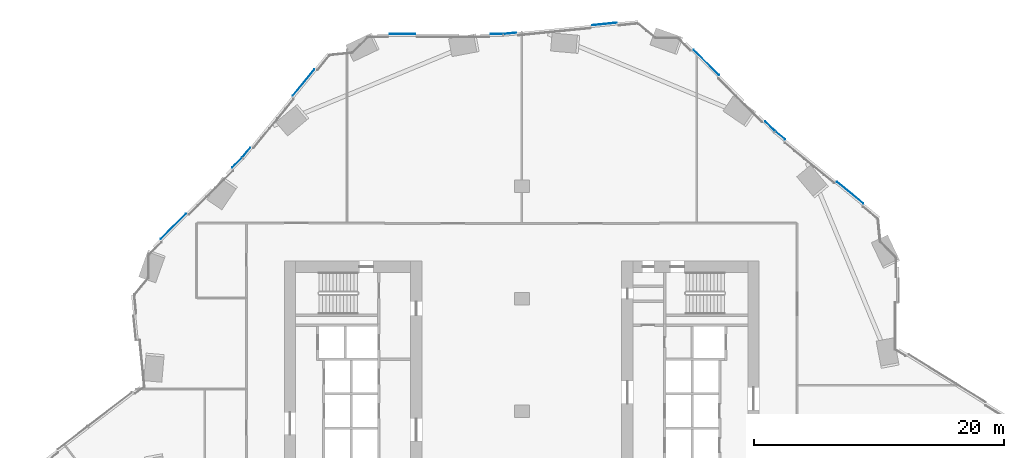
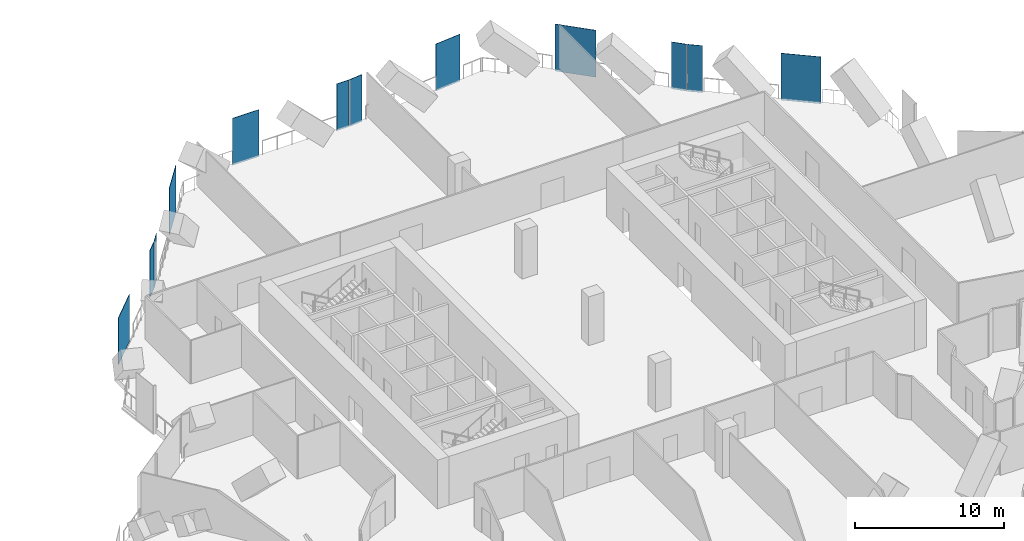
# One storey, part 21 of 32: 12 plates, 6 elements without a shape of their own.
"""IFC4 building model written with IfcOpenShell, lengths in metres."""

from ifc_helpers import new_model, si_unit, direction, frame, origin, origin_2d, place, context, subcontext, project, spatial, rectangle, extrude, material, layer, layer_set, type_object, element, aggregate, save


model = new_model("IFC4")

# Units and contexts
model_context = context("Model", 3, precision=1e-05, world=origin(), true_north=direction((0.0, 1.0)))
body_context = subcontext(model_context, "Body", "Model", "MODEL_VIEW")
ifc_project = project(units=[si_unit("LENGTHUNIT", "METRE"), si_unit("AREAUNIT", "SQUARE_METRE"), si_unit("VOLUMEUNIT", "CUBIC_METRE"), si_unit("PLANEANGLEUNIT", "RADIAN"), si_unit("MASSUNIT", "GRAM", prefix="KILO")], contexts=[model_context])

# Site, building, storey
site_placement = place(None, origin())
site = spatial("IfcSite", under=ifc_project, at=site_placement, CompositionType="ELEMENT")
building_placement = place(site_placement, origin())
building = spatial("IfcBuilding", under=site, at=building_placement, Name="Orlundy Tower", CompositionType="ELEMENT")
storey_placement = place(building_placement, frame((0.0, 0.0, 33.300048828125)))
storey = spatial("IfcBuildingStorey", under=building, at=storey_placement, Name="L06", CompositionType="ELEMENT", Elevation=33.300048828125)

# Curtain wall, plate
ifc_material_1 = material(Name="Aluminium bronze anodised", Category="aluminium")
curtain_wall_type = type_object("IfcCurtainWallType", Name="CW5 wall", PredefinedType="NOTDEFINED", material=ifc_material_1)
curtain_wall_1_placement = place(storey_placement, origin())
curtain_wall_1 = element("IfcCurtainWall", 1, at=curtain_wall_1_placement, inside=storey, type_object=curtain_wall_type, Name="CW5 run 02", PredefinedType="NOTDEFINED")
ifc_material_2 = material(Name="Tinted glass", Category="glass")
ifc_layer_1 = layer(ifc_material_2, 0.031982421875)
ifc_layer_set_1 = layer_set([ifc_layer_1], Name="CW5 glass panel 32")
plate_type_1 = type_object("IfcPlateType", Name="CW5 glass panel 32", PredefinedType="CURTAIN_PANEL", material=ifc_layer_set_1)
plate_1_placement = place(storey_placement, frame((-27.903076171875, 14.782958984375, -0.2802734375), z_axis=(0.0, 0.0, 1.0), x_axis=(0.707106781187, 0.707106781187, 0.0)))
plate_1 = element("IfcPlate", 2, at=plate_1_placement, type_object=plate_type_1, Name="CW5 panel", PredefinedType="CURTAIN_PANEL", context=body_context, shape_type="SweptSolid", body=[
    extrude(rectangle(XDim=2.854736328125, YDim=0.031982421875, at=origin_2d()), origin(), (0.0, 0.0, 1.0), 3.860107421875),
])

# Curtain wall, plates
curtain_wall_2_placement = place(storey_placement, origin())
curtain_wall_2 = element("IfcCurtainWall", 3, at=curtain_wall_2_placement, inside=storey, type_object=curtain_wall_type, Name="CW5 run 03", PredefinedType="NOTDEFINED")
plate_2_placement = place(storey_placement, frame((-22.065185546875, 20.6943359375, -0.2802734375), z_axis=(0.0, 0.0, 1.0), x_axis=(0.633815015642, 0.773484664325, 0.0)))
plate_2 = element("IfcPlate", 4, at=plate_2_placement, type_object=plate_type_1, Name="CW5 panel", PredefinedType="CURTAIN_PANEL", context=body_context, shape_type="SweptSolid", body=[
    extrude(rectangle(XDim=1.001708984375, YDim=0.031982421875, at=origin_2d()), origin(), (0.0, 0.0, 1.0), 3.860107421875),
])
plate_3_placement = place(storey_placement, frame((-17.478759765625, 26.291748046875, -0.2802734375), z_axis=(0.0, 0.0, 1.0), x_axis=(0.633815015642, 0.773484664325, 0.0)))
plate_3 = element("IfcPlate", 5, at=plate_3_placement, type_object=plate_type_1, Name="CW5 panel", PredefinedType="CURTAIN_PANEL", context=body_context, shape_type="SweptSolid", body=[
    extrude(rectangle(XDim=2.719970703125, YDim=0.031982421875, at=origin_2d()), origin(), (0.0, 0.0, 1.0), 3.860107421875),
])
aggregate(curtain_wall_2, [plate_2, plate_3])

# Curtain wall, plate
curtain_wall_3_placement = place(storey_placement, origin())
curtain_wall_3 = element("IfcCurtainWall", 6, at=curtain_wall_3_placement, inside=storey, type_object=curtain_wall_type, Name="CW5 run 06", PredefinedType="NOTDEFINED")
plate_4_placement = place(storey_placement, frame((-9.552490234375, 30.18408203125, -0.2802734375), z_axis=(0.0, 0.0, 1.0), x_axis=(1.0, 0.0, 0.0)))
plate_4 = element("IfcPlate", 7, at=plate_4_placement, type_object=plate_type_1, Name="CW5 panel", PredefinedType="CURTAIN_PANEL", context=body_context, shape_type="SweptSolid", body=[
    extrude(rectangle(XDim=2.059326171875, YDim=0.031982421875, at=origin_2d()), origin(), (0.0, 0.0, 1.0), 3.860107421875),
])

# Curtain wall, plates
curtain_wall_4_placement = place(storey_placement, origin())
curtain_wall_4 = element("IfcCurtainWall", 8, at=curtain_wall_4_placement, inside=storey, type_object=curtain_wall_type, Name="CW5 run 07", PredefinedType="NOTDEFINED")
plate_5_placement = place(storey_placement, frame((-0.955078125, 30.237060546875, -0.2802734375), z_axis=(0.0, 0.0, 1.0), x_axis=(0.995112939602, 0.098743290595, 0.0)))
plate_5 = element("IfcPlate", 9, at=plate_5_placement, type_object=plate_type_1, Name="CW5 panel", PredefinedType="CURTAIN_PANEL", context=body_context, shape_type="SweptSolid", body=[
    extrude(rectangle(XDim=1.025390625, YDim=0.031982421875, at=origin_2d()), origin(), (0.0, 0.0, 1.0), 3.860107421875),
])
plate_6_placement = place(storey_placement, frame((6.629638671875, 30.98974609375, -0.2802734375), z_axis=(0.0, 0.0, 1.0), x_axis=(0.995112939602, 0.098743290595, 0.0)))
plate_6 = element("IfcPlate", 10, at=plate_6_placement, type_object=plate_type_1, Name="CW5 panel", PredefinedType="CURTAIN_PANEL", context=body_context, shape_type="SweptSolid", body=[
    extrude(rectangle(XDim=1.989013671875, YDim=0.031982421875, at=origin_2d()), origin(), (0.0, 0.0, 1.0), 3.860107421875),
])
aggregate(curtain_wall_4, [plate_5, plate_6])

# Curtain wall, plate
curtain_wall_5_placement = place(storey_placement, origin())
curtain_wall_5 = element("IfcCurtainWall", 11, at=curtain_wall_5_placement, inside=storey, type_object=curtain_wall_type, Name="CW5 run 010", PredefinedType="NOTDEFINED")
plate_7_placement = place(storey_placement, frame((14.782958984375, 27.903076171875, -0.2802734375), z_axis=(0.0, 0.0, 1.0), x_axis=(0.707106781187, -0.707106781187, 0.0)))
plate_7 = element("IfcPlate", 12, at=plate_7_placement, type_object=plate_type_1, Name="CW5 panel", PredefinedType="CURTAIN_PANEL", context=body_context, shape_type="SweptSolid", body=[
    extrude(rectangle(XDim=2.854736328125, YDim=0.031982421875, at=origin_2d()), origin(), (0.0, 0.0, 1.0), 3.860107421875),
])

# Curtain wall, plates
curtain_wall_6_placement = place(storey_placement, origin())
curtain_wall_6 = element("IfcCurtainWall", 13, at=curtain_wall_6_placement, inside=storey, type_object=curtain_wall_type, Name="CW5 run 011", PredefinedType="NOTDEFINED")
plate_8_placement = place(storey_placement, frame((20.6943359375, 22.065185546875, -0.2802734375), z_axis=(0.0, 0.0, 1.0), x_axis=(0.773484664325, -0.633815015642, 0.0)))
plate_8 = element("IfcPlate", 14, at=plate_8_placement, type_object=plate_type_1, Name="CW5 panel", PredefinedType="CURTAIN_PANEL", context=body_context, shape_type="SweptSolid", body=[
    extrude(rectangle(XDim=1.001708984375, YDim=0.031982421875, at=origin_2d()), origin(), (0.0, 0.0, 1.0), 3.860107421875),
])
plate_9_placement = place(storey_placement, frame((26.291748046875, 17.478759765625, -0.2802734375), z_axis=(0.0, 0.0, 1.0), x_axis=(0.773484664325, -0.633815015642, 0.0)))
plate_9 = element("IfcPlate", 15, at=plate_9_placement, type_object=plate_type_1, Name="CW5 panel", PredefinedType="CURTAIN_PANEL", context=body_context, shape_type="SweptSolid", body=[
    extrude(rectangle(XDim=2.719970703125, YDim=0.031982421875, at=origin_2d()), origin(), (0.0, 0.0, 1.0), 3.860107421875),
])
aggregate(curtain_wall_6, [plate_8, plate_9])

# Plate
ifc_material_3 = material(Name="Tinted glass", Category="glass")
ifc_layer_2 = layer(ifc_material_3, 0.031982421875)
ifc_layer_set_2 = layer_set([ifc_layer_2], Name="CW5 vent panel 32")
plate_type_2 = type_object("IfcPlateType", Name="CW5 vent panel 32", PredefinedType="CURTAIN_PANEL", material=ifc_layer_set_2)
plate_10_placement = place(storey_placement, frame((-22.80126953125, 19.885009765625, -0.2802734375), z_axis=(0.0, 0.0, 1.0), x_axis=(0.707106781187, 0.707106781187, 0.0)))
plate_10 = element("IfcPlate", 16, at=plate_10_placement, type_object=plate_type_2, Name="CW5 panel", PredefinedType="CURTAIN_PANEL", context=body_context, shape_type="SweptSolid", body=[
    extrude(rectangle(XDim=1.089111328125, YDim=0.031982421875, at=origin_2d()), origin(), (0.0, 0.0, 1.0), 3.860107421875),
])

aggregate(curtain_wall_1, [plate_1, plate_10])

plate_11_placement = place(storey_placement, frame((-1.99658203125, 30.18408203125, -0.2802734375), z_axis=(0.0, 0.0, 1.0), x_axis=(1.0, 0.0, 0.0)))
plate_11 = element("IfcPlate", 17, at=plate_11_placement, type_object=plate_type_2, Name="CW5 panel", PredefinedType="CURTAIN_PANEL", context=body_context, shape_type="SweptSolid", body=[
    extrude(rectangle(XDim=0.962890625, YDim=0.031982421875, at=origin_2d()), origin(), (0.0, 0.0, 1.0), 3.860107421875),
])

aggregate(curtain_wall_3, [plate_4, plate_11])

plate_12_placement = place(storey_placement, frame((19.885009765625, 22.80126953125, -0.2802734375), z_axis=(0.0, 0.0, 1.0), x_axis=(0.707106781187, -0.707106781187, 0.0)))
plate_12 = element("IfcPlate", 18, at=plate_12_placement, type_object=plate_type_2, Name="CW5 panel", PredefinedType="CURTAIN_PANEL", context=body_context, shape_type="SweptSolid", body=[
    extrude(rectangle(XDim=1.089111328125, YDim=0.031982421875, at=origin_2d()), origin(), (0.0, 0.0, 1.0), 3.860107421875),
])

aggregate(curtain_wall_5, [plate_7, plate_12])

save(model, "model.ifc")
